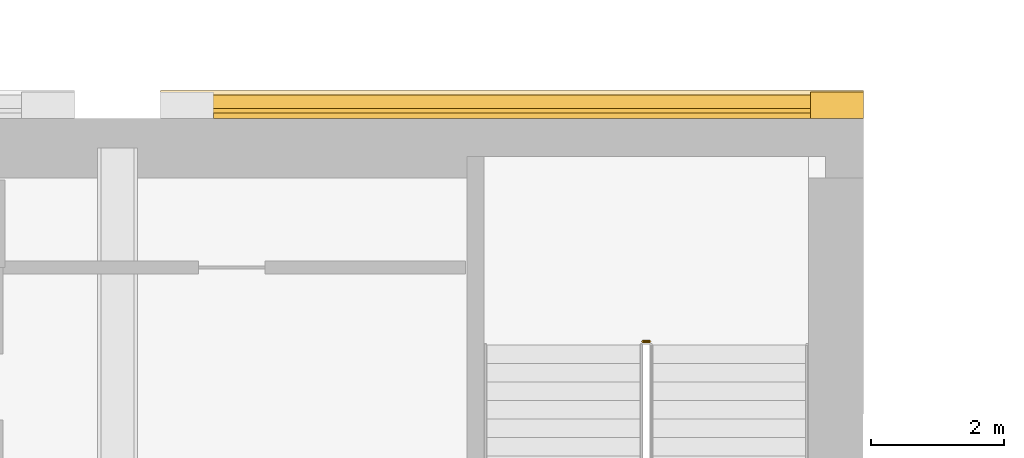
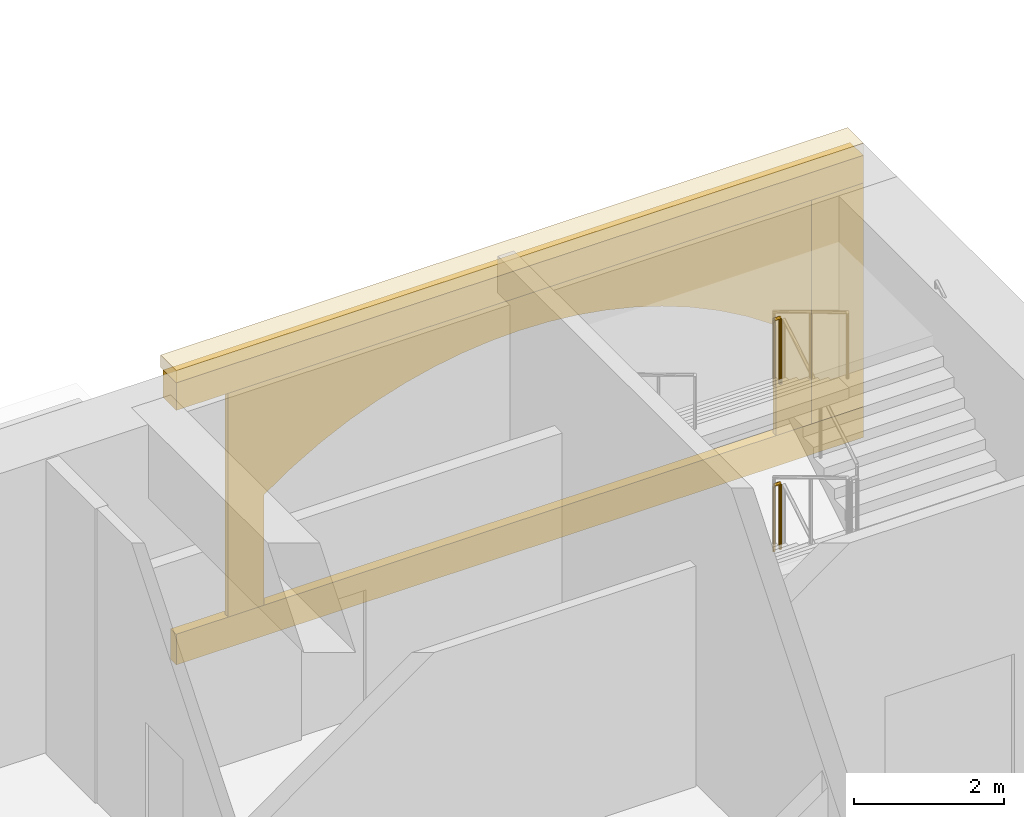
# One storey, part 99 of 101: 5 coverings, 2 railings.
"""IFC4 building model written with IfcOpenShell, lengths in metres."""

from ifc_helpers import new_model, si_unit, direction, frame, origin, origin_2d, place, context, subcontext, project, spatial, polyline, rectangle, circle, outline, extrude, material, layer, layer_set, type_object, element, save


model = new_model("IFC4")

# Units and contexts
model_context = context("Model", 3, precision=1e-05, world=origin(), true_north=direction((0.0, 1.0)))
body_context = subcontext(model_context, "Body", "Model", "MODEL_VIEW")
ifc_project = project(units=[si_unit("LENGTHUNIT", "METRE"), si_unit("AREAUNIT", "SQUARE_METRE"), si_unit("VOLUMEUNIT", "CUBIC_METRE"), si_unit("PLANEANGLEUNIT", "RADIAN"), si_unit("MASSUNIT", "GRAM", prefix="KILO")], contexts=[model_context])

# Site, building, storey
site_placement = place(None, origin())
site = spatial("IfcSite", under=ifc_project, at=site_placement, CompositionType="ELEMENT")
building_placement = place(site_placement, origin())
building = spatial("IfcBuilding", under=site, at=building_placement, Name="Magnolia Steps Interchange", CompositionType="ELEMENT")
storey_placement = place(building_placement, frame((0.0, 0.0, -5.39990234375)))
storey = spatial("IfcBuildingStorey", under=building, at=storey_placement, Name="B1", CompositionType="ELEMENT", Elevation=-5.39990234375)

# Coverings
ifc_material_1 = material(Name="Lime render")
ifc_layer_1 = layer(ifc_material_1, 0.080078125)
ifc_layer_set_1 = layer_set([ifc_layer_1], Name="Lime render arch infill")
covering_type_1 = type_object("IfcCoveringType", Name="Lime render arch infill", PredefinedType="CLADDING", material=ifc_layer_set_1)
covering_1_placement = place(storey_placement, frame((174.0, 75.25, 0.5), z_axis=(0.0, -1.0, 0.0), x_axis=(0.0, 0.0, 1.0)))
element("IfcCovering", 1, at=covering_1_placement, inside=storey, type_object=covering_type_1, Name="Blind arch base wall east 6.1", PredefinedType="CLADDING", context=body_context, shape_type="SweptSolid", body=[
    extrude(outline(polyline([(0.0, 0.0), (1.799804688, 0.0), (2.09765625, -0.438964844), (2.347900391, -0.877685547), (2.556396484, -1.316650391), (2.727294922, -1.755615234), (2.864013672, -2.194335938), (2.968261719, -2.633300781), (3.041748047, -3.072265625), (3.085449219, -3.510986328), (3.099853516, -3.949951172), (3.085449219, -4.388916016), (3.041748047, -4.827880859), (2.968261719, -5.266601562), (2.864013672, -5.705566406), (2.727294922, -6.144287109), (2.556396484, -6.583251953), (2.347900391, -7.022216797), (2.09765625, -7.461181641), (1.799804688, -7.899902344), (0.0, -7.899902344), (0.0, -8.449951172), (3.649902344, -8.449951172), (3.649902344, 0.550048828), (0.0, 0.550048828), (0.0, 0.0)])), origin(), (0.0, 0.0, -1.0), 0.080078125),
])
ifc_material_2 = material(Name="Lime render")
ifc_layer_2 = layer(ifc_material_2, 0.1201171875)
ifc_layer_set_2 = layer_set([ifc_layer_2], Name="Lime render band")
covering_type_2 = type_object("IfcCoveringType", Name="Lime render band", PredefinedType="CLADDING", material=ifc_layer_set_2)
covering_2_placement = place(storey_placement, frame((177.949951171875, 75.324951171875, 0.0), z_axis=(0.0, 0.0, 1.0), x_axis=(1.0, 0.0, 0.0)))
element("IfcCovering", 2, at=covering_2_placement, inside=storey, type_object=covering_type_2, Name="Plinth course base wall east 6", PredefinedType="CLADDING", context=body_context, shape_type="SweptSolid", body=[
    extrude(rectangle(XDim=10.60009765625, YDim=0.14990234375, at=origin_2d()), origin(), (0.0, 0.0, 1.0), 0.5),
])
covering_3_placement = place(storey_placement, frame((177.949951171875, 75.425048828125, 4.14990234375), z_axis=(0.0, 0.0, 1.0), x_axis=(1.0, 0.0, 0.0)))
element("IfcCovering", 3, at=covering_3_placement, inside=storey, type_object=covering_type_2, Name="Cornice base wall east 6", PredefinedType="CLADDING", context=body_context, shape_type="SweptSolid", body=[
    extrude(rectangle(XDim=10.60009765625, YDim=0.35009765625, at=origin_2d()), origin(), (0.0, 0.0, 1.0), 0.449951171875),
])
covering_4_placement = place(storey_placement, frame((177.949951171875, 75.4599609375, 4.60009765625), z_axis=(0.0, 0.0, 1.0), x_axis=(1.0, 0.0, 0.0)))
element("IfcCovering", 4, at=covering_4_placement, inside=storey, type_object=covering_type_2, Name="Coping base wall east 6", PredefinedType="CLADDING", context=body_context, shape_type="SweptSolid", body=[
    extrude(rectangle(XDim=10.60009765625, YDim=0.419921875, at=origin_2d()), origin(), (0.0, 0.0, 1.0), 0.199951171875),
])
ifc_material_3 = material(Name="Lime render")
ifc_layer_3 = layer(ifc_material_3, 0.39990234375)
ifc_layer_set_3 = layer_set([ifc_layer_3], Name="Lime render pilaster")
covering_type_3 = type_object("IfcCoveringType", Name="Lime render pilaster", PredefinedType="CLADDING", material=ifc_layer_set_3)
covering_5_placement = place(storey_placement, frame((182.85009765625, 75.449951171875, 0.5), z_axis=(0.0, 0.0, 1.0), x_axis=(1.0, 0.0, 0.0)))
element("IfcCovering", 5, at=covering_5_placement, inside=storey, type_object=covering_type_3, Name="Pilaster base wall east 6.2", PredefinedType="CLADDING", context=body_context, shape_type="SweptSolid", body=[
    extrude(rectangle(XDim=0.800048828125, YDim=0.39990234375, at=origin_2d()), origin(), (0.0, 0.0, 1.0), 3.64990234375),
])

# Railings
ifc_material_4 = material(Name="Stainless steel grade 304", Category="steel")
railing_type = type_object("IfcRailingType", Name="Stair guard 1100", PredefinedType="GUARDRAIL", material=ifc_material_4)
for number, where, name in (
    (6, (180.02490234375, 71.885009765625, 1.349853515625), "B1 ST16 stair guard 2"),
    (7, (180.02490234375, 71.885009765625, 4.0498046875), "B1 ST16 stair guard 6"),
):
    element("IfcRailing", number, at=place(storey_placement, frame(where)), inside=storey, type_object=railing_type, Name=name, PredefinedType="GUARDRAIL", context=body_context, shape_type="SweptSolid", body=[
        extrude(circle(Radius=0.02392578125, at=origin_2d()), frame((0.0, 0.0, 1.076171875), z_axis=(-1.0, 0.0, 0.0), x_axis=(0.0, -1.0, 0.0)), (0.0, 0.0, 1.0), 0.099853515625),
        extrude(circle(Radius=0.02099609375, at=origin_2d()), origin(), (0.0, 0.0, 1.0), 1.052001953125),
        extrude(circle(Radius=0.02099609375, at=origin_2d()), frame((-0.099853515625, 0.0, 0.0)), (0.0, 0.0, 1.0), 1.052001953125),
    ])

save(model, "model.ifc")
